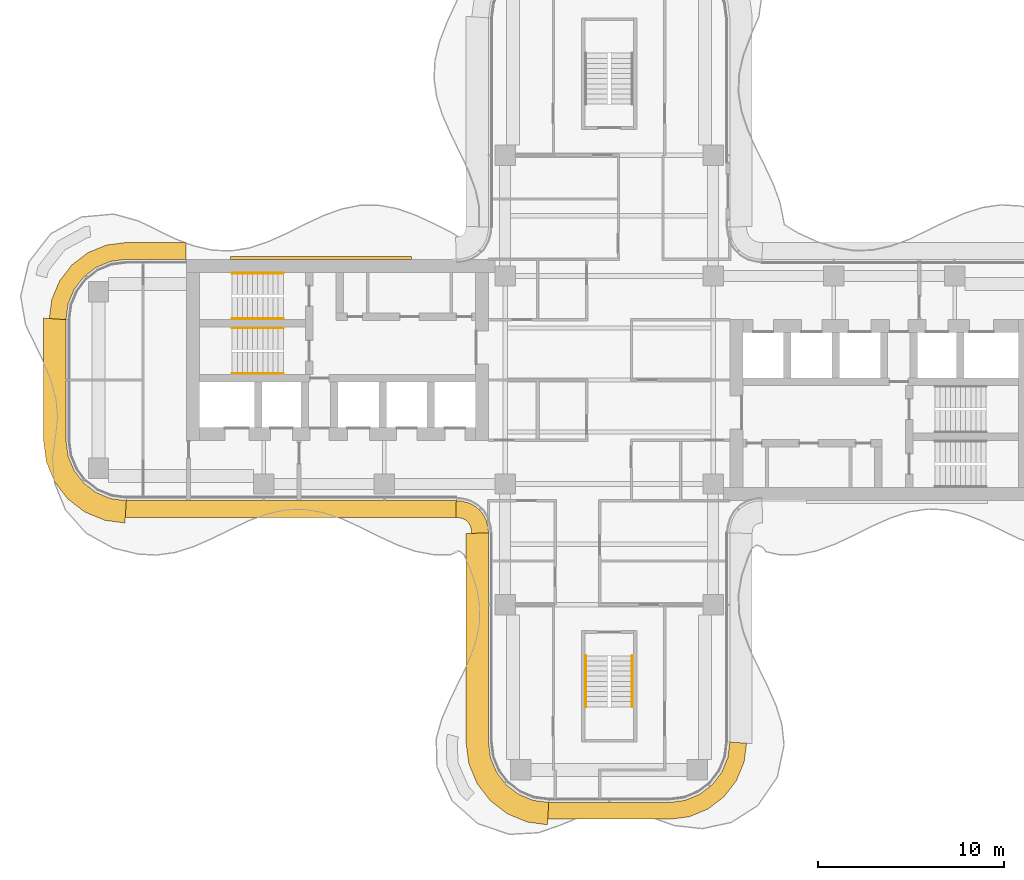
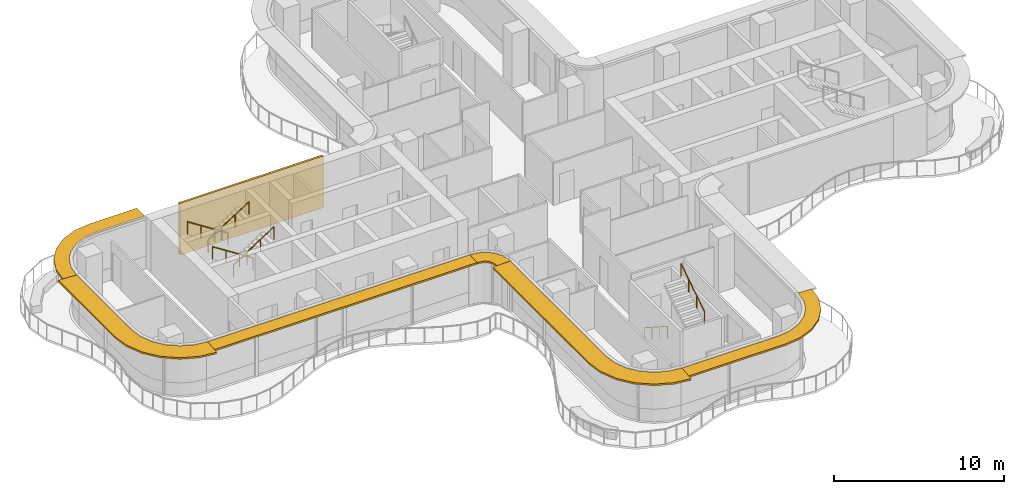
# One storey, part 15 of 16: 6 railings, 6 shading devices, 1 covering.
"""IFC4 building model written with IfcOpenShell, lengths in metres."""

from ifc_helpers import new_model, si_unit, direction, frame, origin, origin_2d, place, context, subcontext, project, spatial, polyline, circle, outline, extrude, source, transform, mapped, material, layer, layer_set, type_object, element, save


model = new_model("IFC4")

# Units and contexts
model_context = context("Model", 3, precision=1e-05, world=origin(), true_north=direction((0.0, 1.0)))
body_context = subcontext(model_context, "Body", "Model", "MODEL_VIEW")
ifc_project = project(units=[si_unit("LENGTHUNIT", "METRE"), si_unit("AREAUNIT", "SQUARE_METRE"), si_unit("VOLUMEUNIT", "CUBIC_METRE"), si_unit("PLANEANGLEUNIT", "RADIAN"), si_unit("MASSUNIT", "GRAM", prefix="KILO")], contexts=[model_context])

# Site, building, storey
site_placement = place(None, origin())
site = spatial("IfcSite", under=ifc_project, at=site_placement, CompositionType="ELEMENT")
building_placement = place(site_placement, origin())
building = spatial("IfcBuilding", under=site, at=building_placement, Name="Trellis Farm Tower", CompositionType="ELEMENT")
storey_placement = place(building_placement, frame((0.0, 0.0, 263.60009765625)))
storey = spatial("IfcBuildingStorey", under=building, at=storey_placement, Name="L59", CompositionType="ELEMENT", Elevation=263.60009765625)

# Railings
ifc_material_1 = material(Name="Stainless steel", Category="steel")
railing_type = type_object("IfcRailingType", Name="STAIR HANDRAIL 900", PredefinedType="HANDRAIL", material=ifc_material_1)
shared_shape_1 = source(origin(), body_context, "Body", "SweptSolid", [
    extrude(circle(Radius=0.02392578125, at=origin_2d()), frame((0.0, 0.0, 0.8759765625), z_axis=(0.0, 0.840503830235, 0.541805602924), x_axis=(-1.0, 0.0, 0.0)), (0.0, 0.0, 1.0), 3.271728515625),
    extrude(circle(Radius=0.02099609375, at=origin_2d()), origin(), (0.0, 0.0, 1.0), 0.851806640625),
    extrude(circle(Radius=0.02099609375, at=origin_2d()), frame((0.0, 0.916748046875, 0.5908203125)), (0.0, 0.0, 1.0), 0.851806640625),
    extrude(circle(Radius=0.02099609375, at=origin_2d()), frame((0.0, 1.833251953125, 1.181884765625)), (0.0, 0.0, 1.0), 0.851806640625),
    extrude(circle(Radius=0.02099609375, at=origin_2d()), frame((0.0, 2.75, 1.772705078125)), (0.0, 0.0, 1.0), 0.851806640625),
])
railing_1_placement = place(storey_placement, frame((1.25, -17.60009765625, 2.127197265625)))
element("IfcRailing", 1, at=railing_1_placement, inside=storey, type_object=railing_type, Name="Stair handrail", PredefinedType="HANDRAIL", context=body_context, shape_type="MappedRepresentation", body=[
    mapped(shared_shape_1, transform((0.0, 0.0, 0.0))),
])
shared_shape_2 = source(origin(), body_context, "Body", "SweptSolid", [
    extrude(circle(Radius=0.02392578125, at=origin_2d()), frame((0.0, 0.0, 0.8759765625), z_axis=(0.0, -0.840503830235, 0.541805602924), x_axis=(1.0, 0.0, 0.0)), (0.0, 0.0, 1.0), 3.271728515625),
    extrude(circle(Radius=0.02099609375, at=origin_2d()), origin(), (0.0, 0.0, 1.0), 0.851806640625),
    extrude(circle(Radius=0.02099609375, at=origin_2d()), frame((0.0, -0.916748046875, 0.5908203125)), (0.0, 0.0, 1.0), 0.851806640625),
    extrude(circle(Radius=0.02099609375, at=origin_2d()), frame((0.0, -1.833251953125, 1.181884765625)), (0.0, 0.0, 1.0), 0.851806640625),
    extrude(circle(Radius=0.02099609375, at=origin_2d()), frame((0.0, -2.75, 1.772705078125)), (0.0, 0.0, 1.0), 0.851806640625),
])
railing_2_placement = place(storey_placement, frame((-1.25, -14.85009765625, 0.17724609375)))
element("IfcRailing", 2, at=railing_2_placement, inside=storey, type_object=railing_type, Name="Stair handrail", PredefinedType="HANDRAIL", context=body_context, shape_type="MappedRepresentation", body=[
    mapped(shared_shape_2, transform((0.0, 0.0, 0.0))),
])
shared_shape_3 = source(origin(), body_context, "Body", "SweptSolid", [
    extrude(circle(Radius=0.02392578125, at=origin_2d()), frame((0.0, 0.0, 0.8759765625), z_axis=(0.840503830235, 0.0, 0.541805602924), x_axis=(0.0, 1.0, 0.0)), (0.0, 0.0, 1.0), 3.271728515625),
    extrude(circle(Radius=0.02099609375, at=origin_2d()), origin(), (0.0, 0.0, 1.0), 0.851806640625),
    extrude(circle(Radius=0.02099609375, at=origin_2d()), frame((0.916748046875, 0.0, 0.5908203125)), (0.0, 0.0, 1.0), 0.851806640625),
    extrude(circle(Radius=0.02099609375, at=origin_2d()), frame((1.833251953125, 0.0, 1.181884765625)), (0.0, 0.0, 1.0), 0.851806640625),
    extrude(circle(Radius=0.02099609375, at=origin_2d()), frame((2.75, 0.0, 1.772705078125)), (0.0, 0.0, 1.0), 0.851806640625),
])
for number, where, name in (
    (3, (-20.300048828125, 3.300048828125, 2.127197265625), "Stair handrail"),
    (4, (-20.300048828125, 0.35009765625, 2.127197265625), "Stair handrail"),
):
    element("IfcRailing", number, at=place(storey_placement, frame(where)), inside=storey, type_object=railing_type, Name=name, PredefinedType="HANDRAIL", context=body_context, shape_type="MappedRepresentation", body=[
        mapped(shared_shape_3, transform((0.0, 0.0, 0.0))),
    ])
shared_shape_4 = source(origin(), body_context, "Body", "SweptSolid", [
    extrude(circle(Radius=0.02392578125, at=origin_2d()), frame((0.0, 0.0, 0.8759765625), z_axis=(-0.840503830235, 0.0, 0.541805602924), x_axis=(0.0, -1.0, 0.0)), (0.0, 0.0, 1.0), 3.271728515625),
    extrude(circle(Radius=0.02099609375, at=origin_2d()), origin(), (0.0, 0.0, 1.0), 0.851806640625),
    extrude(circle(Radius=0.02099609375, at=origin_2d()), frame((-0.916748046875, 0.0, 0.5908203125)), (0.0, 0.0, 1.0), 0.851806640625),
    extrude(circle(Radius=0.02099609375, at=origin_2d()), frame((-1.833251953125, 0.0, 1.181884765625)), (0.0, 0.0, 1.0), 0.851806640625),
    extrude(circle(Radius=0.02099609375, at=origin_2d()), frame((-2.75, 0.0, 1.772705078125)), (0.0, 0.0, 1.0), 0.851806640625),
])
for number, where, name in (
    (5, (-17.550048828125, 5.75, 0.17724609375), "Stair handrail"),
    (6, (-17.550048828125, 2.800048828125, 0.17724609375), "Stair handrail"),
):
    element("IfcRailing", number, at=place(storey_placement, frame(where)), inside=storey, type_object=railing_type, Name=name, PredefinedType="HANDRAIL", context=body_context, shape_type="MappedRepresentation", body=[
        mapped(shared_shape_4, transform((0.0, 0.0, 0.0))),
    ])

# Shading device
ifc_material_2 = material(Name="Aluminium extrusion 6063-T6", Category="aluminium")
ifc_layer_1 = layer(ifc_material_2, 0.1201171875)
ifc_layer_set_1 = layer_set([ifc_layer_1], Name="SUNSHADE BLADE 900")
shading_device_type_1 = type_object("IfcShadingDeviceType", Name="SUNSHADE BLADE 900", PredefinedType="USERDEFINED", material=ifc_layer_set_1)
shared_shape_5 = source(origin(), body_context, "Body", "SweptSolid", [
    extrude(outline(polyline([(-8.2607421875, -7.39990234375), (-8.107666015625, -7.409912109375), (-8.091552734375, -7.412109375), (-7.85595703125, -7.475341796875), (-7.697021484375, -7.567138671875), (-7.567138671875, -7.697021484375), (-7.475341796875, -7.85595703125), (-7.412109375, -8.091552734375), (-7.409912109375, -8.107666015625), (-7.39990234375, -8.2607421875), (-6.5, -8.2314453125), (-6.513916015625, -8.01953125), (-6.527587890625, -7.91552734375), (-6.63671875, -7.508544921875), (-6.846923828125, -7.144287109375), (-7.144287109375, -6.846923828125), (-7.508544921875, -6.63671875), (-7.91552734375, -6.527587890625), (-8.01953125, -6.513916015625), (-8.2314453125, -6.5), (-8.2607421875, -7.39990234375)])), origin(), (0.0, 0.0, 1.0), 0.1201171875),
])
placement = place(storey_placement, frame((0.0, 0.0, 3.539794921875)))
element("IfcShadingDevice", 7, at=placement, inside=storey, type_object=shading_device_type_1, Name="SD1 002", ObjectType="SUNSHADE", PredefinedType="USERDEFINED", context=body_context, shape_type="MappedRepresentation", body=[
    mapped(shared_shape_5, transform((0.0, 0.0, 0.0))),
])

# Covering
ifc_material_3 = material(Name="Perforated precast screen (cobogo)", Category="concrete")
ifc_layer_2 = layer(ifc_material_3, 0.14990234375)
ifc_layer_set_2 = layer_set([ifc_layer_2], Name="COBOGO SCREEN PANEL")
covering_type = type_object("IfcCoveringType", Name="COBOGO SCREEN PANEL", PredefinedType="USERDEFINED", material=ifc_layer_set_2)
shared_shape_6 = source(origin(), body_context, "Body", "SweptSolid", [
    extrude(outline(polyline([(-10.630615234375, 6.64990234375), (-20.380615234375, 6.64990234375), (-20.380615234375, 6.5), (-10.630615234375, 6.5), (-10.630615234375, 6.64990234375)])), origin(), (0.0, 0.0, 1.0), 3.699951171875),
])
covering_placement = place(storey_placement, origin())
element("IfcCovering", 8, at=covering_placement, inside=storey, type_object=covering_type, Name="SC1 02", ObjectType="SCREEN", PredefinedType="USERDEFINED", context=body_context, shape_type="MappedRepresentation", body=[
    mapped(shared_shape_6, transform((0.0, 0.0, 0.0))),
])

# Shading devices
shared_shape_7 = source(origin(), body_context, "Body", "SweptSolid", [
    extrude(outline(polyline([(-26.05908203125, -7.39990234375), (-8.2607421875, -7.39990234375), (-8.2314453125, -6.5), (-26.0, -6.5), (-26.05908203125, -7.39990234375)])), origin(), (0.0, 0.0, 1.0), 0.1201171875),
])
element("IfcShadingDevice", 9, at=placement, inside=storey, type_object=shading_device_type_1, Name="SD1 001", ObjectType="SUNSHADE", PredefinedType="USERDEFINED", context=body_context, shape_type="MappedRepresentation", body=[
    mapped(shared_shape_7, transform((0.0, 0.0, 0.0))),
])
shared_shape_8 = source(origin(), body_context, "Body", "SweptSolid", [
    extrude(outline(polyline([(-22.780029296875, 7.39990234375), (-26.05908203125, 7.39990234375), (-27.076171875, 7.26611328125), (-28.078857421875, 6.850830078125), (-28.93994140625, 6.18994140625), (-29.600830078125, 5.328857421875), (-30.01611328125, 4.326171875), (-30.14990234375, 3.30908203125), (-29.25, 3.25), (-29.13916015625, 4.091064453125), (-28.814697265625, 4.875), (-28.298095703125, 5.548095703125), (-27.625, 6.064697265625), (-26.841064453125, 6.38916015625), (-26.0, 6.5), (-22.780029296875, 6.5), (-22.780029296875, 7.39990234375)])), origin(), (0.0, 0.0, 1.0), 0.1201171875),
])
element("IfcShadingDevice", 10, at=placement, inside=storey, type_object=shading_device_type_1, Name="SD1 015", ObjectType="SUNSHADE", PredefinedType="USERDEFINED", context=body_context, shape_type="MappedRepresentation", body=[
    mapped(shared_shape_8, transform((0.0, 0.0, 0.0))),
])
ifc_layer_3 = layer(ifc_material_2, 0.1201171875)
ifc_layer_set_3 = layer_set([ifc_layer_3], Name="SUNSHADE BLADE 1200")
shading_device_type_2 = type_object("IfcShadingDeviceType", Name="SUNSHADE BLADE 1200", PredefinedType="USERDEFINED", material=ifc_layer_set_3)
shared_shape_9 = source(origin(), body_context, "Body", "SweptSolid", [
    extrude(outline(polyline([(-30.449951171875, 3.32861328125), (-30.449951171875, -3.32861328125), (-30.308349609375, -4.404541015625), (-29.86279296875, -5.480224609375), (-29.154052734375, -6.404052734375), (-28.230224609375, -7.11279296875), (-27.154541015625, -7.558349609375), (-26.07861328125, -7.699951171875), (-26.0, -6.5), (-26.841064453125, -6.38916015625), (-27.625, -6.064697265625), (-28.298095703125, -5.548095703125), (-28.814697265625, -4.875), (-29.13916015625, -4.091064453125), (-29.25, -3.25), (-29.25, 3.25), (-30.449951171875, 3.32861328125)])), origin(), (0.0, 0.0, 1.0), 0.1201171875),
])
element("IfcShadingDevice", 11, at=placement, inside=storey, type_object=shading_device_type_2, Name="SD2 016", ObjectType="SUNSHADE", PredefinedType="USERDEFINED", context=body_context, shape_type="MappedRepresentation", body=[
    mapped(shared_shape_9, transform((0.0, 0.0, 0.0))),
])
shared_shape_10 = source(origin(), body_context, "Body", "SweptSolid", [
    extrude(outline(polyline([(-7.699951171875, -8.270751953125), (-7.699951171875, -19.57861328125), (-7.558349609375, -20.654541015625), (-7.11279296875, -21.730224609375), (-6.404052734375, -22.654052734375), (-5.480224609375, -23.36279296875), (-4.404541015625, -23.808349609375), (-3.32861328125, -23.949951171875), (-3.25, -22.75), (-4.091064453125, -22.63916015625), (-4.875, -22.314697265625), (-5.548095703125, -21.798095703125), (-6.064697265625, -21.125), (-6.38916015625, -20.341064453125), (-6.5, -19.5), (-6.5, -8.2314453125), (-7.699951171875, -8.270751953125)])), origin(), (0.0, 0.0, 1.0), 0.1201171875),
])
element("IfcShadingDevice", 12, at=placement, inside=storey, type_object=shading_device_type_2, Name="SD2 003", ObjectType="SUNSHADE", PredefinedType="USERDEFINED", context=body_context, shape_type="MappedRepresentation", body=[
    mapped(shared_shape_10, transform((0.0, 0.0, 0.0))),
])
shared_shape_11 = source(origin(), body_context, "Body", "SweptSolid", [
    extrude(outline(polyline([(-3.30908203125, -23.64990234375), (3.30908203125, -23.64990234375), (4.326171875, -23.51611328125), (5.328857421875, -23.100830078125), (6.18994140625, -22.43994140625), (6.850830078125, -21.578857421875), (7.26611328125, -20.576171875), (7.39990234375, -19.55908203125), (6.5, -19.5), (6.38916015625, -20.341064453125), (6.064697265625, -21.125), (5.548095703125, -21.798095703125), (4.875, -22.314697265625), (4.091064453125, -22.63916015625), (3.25, -22.75), (-3.25, -22.75), (-3.30908203125, -23.64990234375)])), origin(), (0.0, 0.0, 1.0), 0.1201171875),
])
element("IfcShadingDevice", 13, at=placement, inside=storey, type_object=shading_device_type_1, Name="SD1 004", ObjectType="SUNSHADE", PredefinedType="USERDEFINED", context=body_context, shape_type="MappedRepresentation", body=[
    mapped(shared_shape_11, transform((0.0, 0.0, 0.0))),
])

save(model, "model.ifc")
